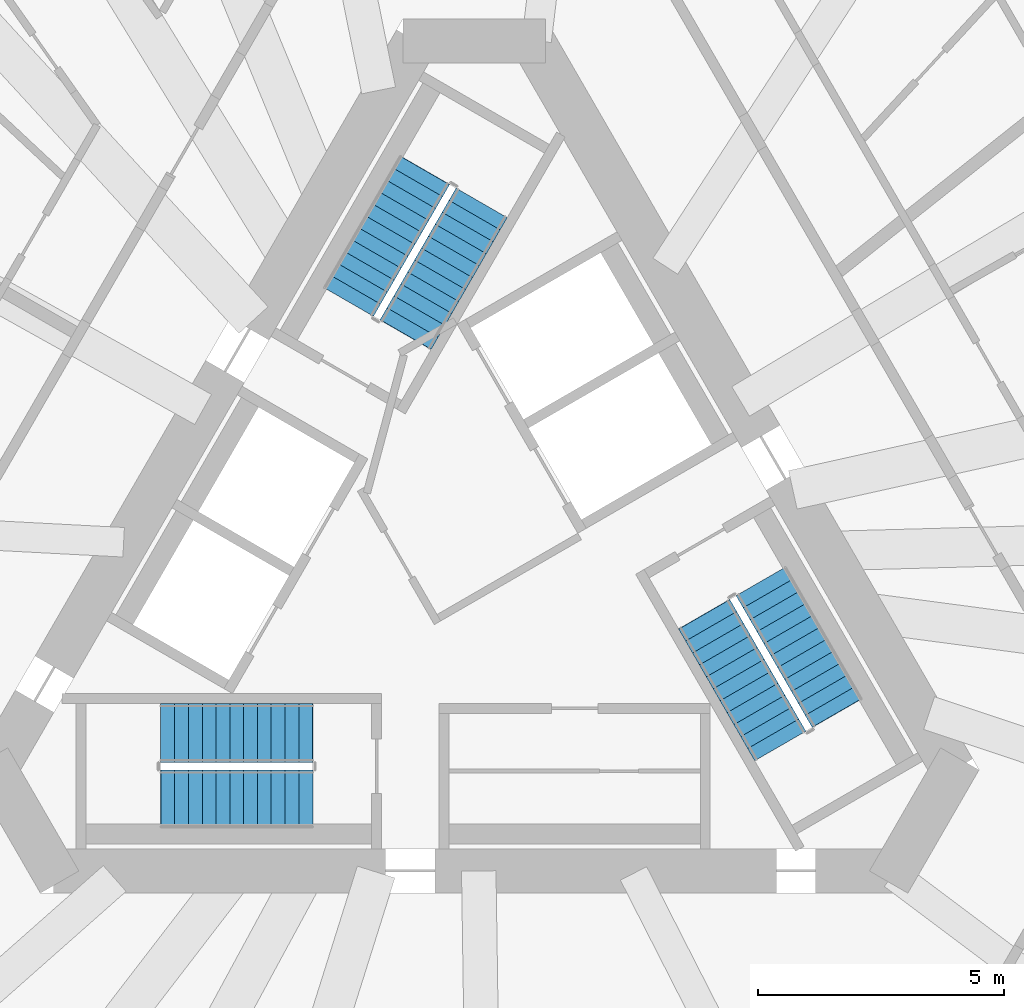
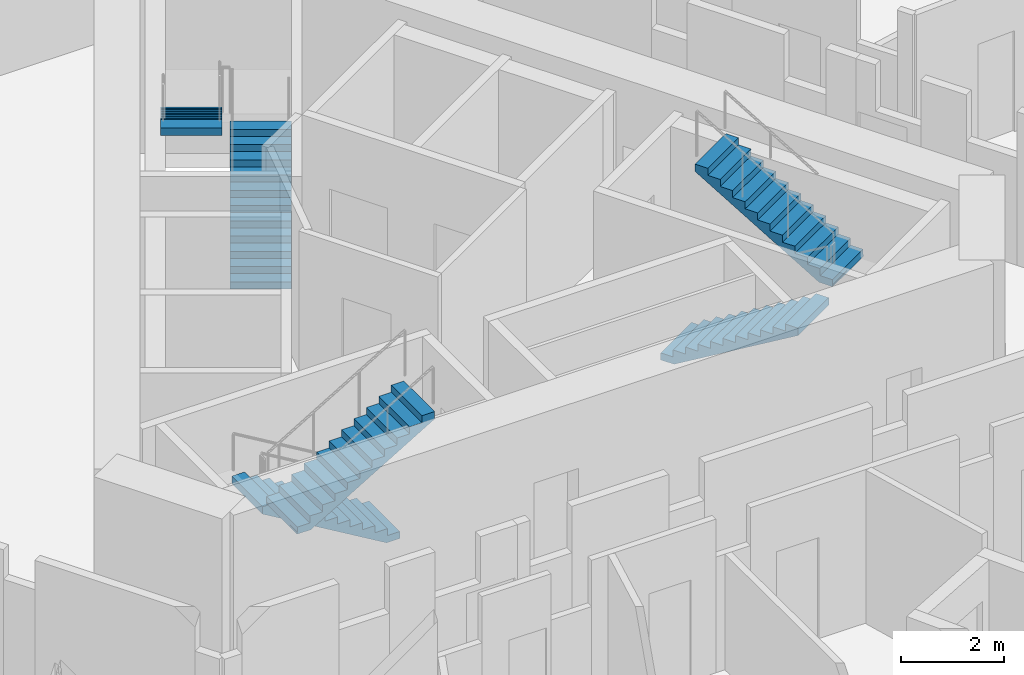
# One storey, part 9 of 13: 6 stair flights, 3 elements without a shape of their own.
"""IFC4 building model written with IfcOpenShell, lengths in metres."""

from ifc_helpers import new_model, si_unit, direction, frame, origin, place, context, subcontext, project, spatial, polyline, outline, extrude, material, layer, layer_set, type_object, element, aggregate, save


model = new_model("IFC4")

# Units and contexts
model_context = context("Model", 3, precision=1e-05, world=origin(), true_north=direction((0.0, 1.0)))
body_context = subcontext(model_context, "Body", "Model", "MODEL_VIEW")
ifc_project = project(units=[si_unit("LENGTHUNIT", "METRE"), si_unit("AREAUNIT", "SQUARE_METRE"), si_unit("VOLUMEUNIT", "CUBIC_METRE"), si_unit("PLANEANGLEUNIT", "RADIAN"), si_unit("MASSUNIT", "GRAM", prefix="KILO")], contexts=[model_context])

# Site, building, storey
site_placement = place(None, origin())
site = spatial("IfcSite", under=ifc_project, at=site_placement, CompositionType="ELEMENT")
building_placement = place(site_placement, origin())
building = spatial("IfcBuilding", under=site, at=building_placement, Name="Tramontana Tower", CompositionType="ELEMENT")
storey_placement = place(building_placement, frame((0.0, 0.0, 153.60009765625)))
storey = spatial("IfcBuildingStorey", under=building, at=storey_placement, Name="L35", CompositionType="ELEMENT", Elevation=153.60009765625)

# Stair, stair flights
ifc_material_1 = material(Name="Concrete 40 MPa", Category="concrete")
stair_type = type_object("IfcStairType", Name="EXIT STAIR 24 RISERS", PredefinedType="HALF_TURN_STAIR", material=ifc_material_1)
stair_1_placement = place(storey_placement, origin())
stair_1 = element("IfcStair", 1, at=stair_1_placement, inside=storey, type_object=stair_type, Name="L35 Exit stair ST1", PredefinedType="HALF_TURN_STAIR")
ifc_material_2 = material(Name="Concrete 40 MPa", Category="concrete")
ifc_layer = layer(ifc_material_2, 0.14990234375)
ifc_layer_set = layer_set([ifc_layer], Name="EXIT STAIR FLIGHT")
stair_flight_type = type_object("IfcStairFlightType", Name="EXIT STAIR FLIGHT", PredefinedType="STRAIGHT", material=ifc_layer_set)
stair_flight_1_placement = place(storey_placement, frame((-1.39111328125, 4.590576171875, 0.0), z_axis=(0.0, 0.0, 1.0), x_axis=(0.5, 0.866025403784, 0.0)))
stair_flight_1 = element("IfcStairFlight", 2, at=stair_flight_1_placement, type_object=stair_flight_type, Name="ST1 flight 1", NumberOfRisers=12, NumberOfTreads=11, PredefinedType="STRAIGHT", RiserHeight=0.166666667, TreadLength=0.28, context=body_context, shape_type="SweptSolid", body=[
    extrude(outline(polyline([(-0.006103515625, 0.0), (-0.006103515625, 0.0400390625), (0.0, 0.0400390625), (0.0, 0.166748046875), (0.280029296875, 0.166748046875), (0.280029296875, 0.333251953125), (0.56005859375, 0.333251953125), (0.56005859375, 0.5), (0.840087890625, 0.5), (0.840087890625, 0.666748046875), (1.1201171875, 0.666748046875), (1.1201171875, 0.833251953125), (1.39990234375, 0.833251953125), (1.39990234375, 1.0), (1.679931640625, 1.0), (1.679931640625, 1.166748046875), (1.9599609375, 1.166748046875), (1.9599609375, 1.333251953125), (2.239990234375, 1.333251953125), (2.239990234375, 1.5), (2.52001953125, 1.5), (2.52001953125, 1.666748046875), (2.800048828125, 1.666748046875), (2.800048828125, 1.833251953125), (3.080078125, 1.833251953125), (3.0859375, 1.833251953125), (3.0859375, 1.658935546875), (0.299072265625, 0.0), (-0.006103515625, 0.0)])), frame((0.0, 0.60009765625, 0.0), z_axis=(0.0, -1.0, 0.0), x_axis=(1.0, 0.0, 0.0)), (0.0, 0.0, 1.0), 1.199951171875),
])
stair_flight_2_placement = place(storey_placement, frame((-1.020263671875, 7.932861328125, 2.0), z_axis=(0.0, 0.0, 1.0), x_axis=(-0.5, -0.866025403784, 0.0)))
stair_flight_2 = element("IfcStairFlight", 3, at=stair_flight_2_placement, type_object=stair_flight_type, Name="ST1 flight 2", NumberOfRisers=12, NumberOfTreads=11, PredefinedType="STRAIGHT", RiserHeight=0.166666667, TreadLength=0.28, context=body_context, shape_type="SweptSolid", body=[
    extrude(outline(polyline([(-0.006103515625, 0.0), (-0.006103515625, 0.0400390625), (0.0, 0.0400390625), (0.0, 0.166748046875), (0.280029296875, 0.166748046875), (0.280029296875, 0.333251953125), (0.56005859375, 0.333251953125), (0.56005859375, 0.5), (0.840087890625, 0.5), (0.840087890625, 0.666748046875), (1.1201171875, 0.666748046875), (1.1201171875, 0.833251953125), (1.39990234375, 0.833251953125), (1.39990234375, 1.0), (1.679931640625, 1.0), (1.679931640625, 1.166748046875), (1.9599609375, 1.166748046875), (1.9599609375, 1.333251953125), (2.239990234375, 1.333251953125), (2.239990234375, 1.5), (2.52001953125, 1.5), (2.52001953125, 1.666748046875), (2.800048828125, 1.666748046875), (2.800048828125, 1.833251953125), (3.080078125, 1.833251953125), (3.0859375, 1.833251953125), (3.0859375, 1.658935546875), (0.299072265625, 0.0), (-0.006103515625, 0.0)])), frame((0.0, 0.60009765625, 0.0), z_axis=(0.0, -1.0, 0.0), x_axis=(1.0, 0.0, 0.0)), (0.0, 0.0, 1.0), 1.199951171875),
])
aggregate(stair_1, [stair_flight_1, stair_flight_2])

stair_2_placement = place(storey_placement, origin())
stair_2 = element("IfcStair", 4, at=stair_2_placement, inside=storey, type_object=stair_type, Name="L35 Exit stair ST2", PredefinedType="HALF_TURN_STAIR")
stair_flight_3_placement = place(storey_placement, frame((-3.280029296875, -3.5, 0.0), z_axis=(0.0, 0.0, 1.0), x_axis=(-1.0, 0.0, 0.0)))
stair_flight_3 = element("IfcStairFlight", 5, at=stair_flight_3_placement, type_object=stair_flight_type, Name="ST2 flight 1", NumberOfRisers=12, NumberOfTreads=11, PredefinedType="STRAIGHT", RiserHeight=0.166666667, TreadLength=0.28, context=body_context, shape_type="SweptSolid", body=[
    extrude(outline(polyline([(-0.006103515625, 0.0), (-0.006103515625, 0.0400390625), (0.0, 0.0400390625), (0.0, 0.166748046875), (0.280029296875, 0.166748046875), (0.280029296875, 0.333251953125), (0.56005859375, 0.333251953125), (0.56005859375, 0.5), (0.840087890625, 0.5), (0.840087890625, 0.666748046875), (1.1201171875, 0.666748046875), (1.1201171875, 0.833251953125), (1.39990234375, 0.833251953125), (1.39990234375, 1.0), (1.679931640625, 1.0), (1.679931640625, 1.166748046875), (1.9599609375, 1.166748046875), (1.9599609375, 1.333251953125), (2.239990234375, 1.333251953125), (2.239990234375, 1.5), (2.52001953125, 1.5), (2.52001953125, 1.666748046875), (2.800048828125, 1.666748046875), (2.800048828125, 1.833251953125), (3.080078125, 1.833251953125), (3.0859375, 1.833251953125), (3.0859375, 1.658935546875), (0.299072265625, 0.0), (-0.006103515625, 0.0)])), frame((0.0, 0.60009765625, 0.0), z_axis=(0.0, -1.0, 0.0), x_axis=(1.0, 0.0, 0.0)), (0.0, 0.0, 1.0), 1.199951171875),
])
stair_flight_4_placement = place(storey_placement, frame((-6.360107421875, -4.85009765625, 2.0), z_axis=(0.0, 0.0, 1.0), x_axis=(1.0, 0.0, 0.0)))
stair_flight_4 = element("IfcStairFlight", 6, at=stair_flight_4_placement, type_object=stair_flight_type, Name="ST2 flight 2", NumberOfRisers=12, NumberOfTreads=11, PredefinedType="STRAIGHT", RiserHeight=0.166666667, TreadLength=0.28, context=body_context, shape_type="SweptSolid", body=[
    extrude(outline(polyline([(-0.006103515625, 0.0), (-0.006103515625, 0.0400390625), (0.0, 0.0400390625), (0.0, 0.166748046875), (0.280029296875, 0.166748046875), (0.280029296875, 0.333251953125), (0.56005859375, 0.333251953125), (0.56005859375, 0.5), (0.840087890625, 0.5), (0.840087890625, 0.666748046875), (1.1201171875, 0.666748046875), (1.1201171875, 0.833251953125), (1.39990234375, 0.833251953125), (1.39990234375, 1.0), (1.679931640625, 1.0), (1.679931640625, 1.166748046875), (1.9599609375, 1.166748046875), (1.9599609375, 1.333251953125), (2.239990234375, 1.333251953125), (2.239990234375, 1.5), (2.52001953125, 1.5), (2.52001953125, 1.666748046875), (2.800048828125, 1.666748046875), (2.800048828125, 1.833251953125), (3.080078125, 1.833251953125), (3.0859375, 1.833251953125), (3.0859375, 1.658935546875), (0.299072265625, 0.0), (-0.006103515625, 0.0)])), frame((0.0, 0.60009765625, 0.0), z_axis=(0.0, -1.0, 0.0), x_axis=(1.0, 0.0, 0.0)), (0.0, 0.0, 1.0), 1.199951171875),
])
aggregate(stair_2, [stair_flight_3, stair_flight_4])

stair_3_placement = place(storey_placement, origin())
stair_3 = element("IfcStair", 7, at=stair_3_placement, inside=storey, type_object=stair_type, Name="L35 Exit stair ST3", PredefinedType="HALF_TURN_STAIR")
stair_flight_5_placement = place(storey_placement, frame((4.671142578125, -1.090576171875, 0.0), z_axis=(0.0, 0.0, 1.0), x_axis=(0.5, -0.866025403784, 0.0)))
stair_flight_5 = element("IfcStairFlight", 8, at=stair_flight_5_placement, type_object=stair_flight_type, Name="ST3 flight 1", NumberOfRisers=12, NumberOfTreads=11, PredefinedType="STRAIGHT", RiserHeight=0.166666667, TreadLength=0.28, context=body_context, shape_type="SweptSolid", body=[
    extrude(outline(polyline([(-0.006103515625, 0.0), (-0.006103515625, 0.0400390625), (0.0, 0.0400390625), (0.0, 0.166748046875), (0.280029296875, 0.166748046875), (0.280029296875, 0.333251953125), (0.56005859375, 0.333251953125), (0.56005859375, 0.5), (0.840087890625, 0.5), (0.840087890625, 0.666748046875), (1.1201171875, 0.666748046875), (1.1201171875, 0.833251953125), (1.39990234375, 0.833251953125), (1.39990234375, 1.0), (1.679931640625, 1.0), (1.679931640625, 1.166748046875), (1.9599609375, 1.166748046875), (1.9599609375, 1.333251953125), (2.239990234375, 1.333251953125), (2.239990234375, 1.5), (2.52001953125, 1.5), (2.52001953125, 1.666748046875), (2.800048828125, 1.666748046875), (2.800048828125, 1.833251953125), (3.080078125, 1.833251953125), (3.0859375, 1.833251953125), (3.0859375, 1.658935546875), (0.299072265625, 0.0), (-0.006103515625, 0.0)])), frame((0.0, 0.60009765625, 0.0), z_axis=(0.0, -1.0, 0.0), x_axis=(1.0, 0.0, 0.0)), (0.0, 0.0, 1.0), 1.199951171875),
])
stair_flight_6_placement = place(storey_placement, frame((7.380126953125, -3.0830078125, 2.0), z_axis=(0.0, 0.0, 1.0), x_axis=(-0.5, 0.866025403784, 0.0)))
stair_flight_6 = element("IfcStairFlight", 9, at=stair_flight_6_placement, type_object=stair_flight_type, Name="ST3 flight 2", NumberOfRisers=12, NumberOfTreads=11, PredefinedType="STRAIGHT", RiserHeight=0.166666667, TreadLength=0.28, context=body_context, shape_type="SweptSolid", body=[
    extrude(outline(polyline([(-0.006103515625, 0.0), (-0.006103515625, 0.0400390625), (0.0, 0.0400390625), (0.0, 0.166748046875), (0.280029296875, 0.166748046875), (0.280029296875, 0.333251953125), (0.56005859375, 0.333251953125), (0.56005859375, 0.5), (0.840087890625, 0.5), (0.840087890625, 0.666748046875), (1.1201171875, 0.666748046875), (1.1201171875, 0.833251953125), (1.39990234375, 0.833251953125), (1.39990234375, 1.0), (1.679931640625, 1.0), (1.679931640625, 1.166748046875), (1.9599609375, 1.166748046875), (1.9599609375, 1.333251953125), (2.239990234375, 1.333251953125), (2.239990234375, 1.5), (2.52001953125, 1.5), (2.52001953125, 1.666748046875), (2.800048828125, 1.666748046875), (2.800048828125, 1.833251953125), (3.080078125, 1.833251953125), (3.0859375, 1.833251953125), (3.0859375, 1.658935546875), (0.299072265625, 0.0), (-0.006103515625, 0.0)])), frame((0.0, 0.60009765625, 0.0), z_axis=(0.0, -1.0, 0.0), x_axis=(1.0, 0.0, 0.0)), (0.0, 0.0, 1.0), 1.199951171875),
])
aggregate(stair_3, [stair_flight_5, stair_flight_6])

save(model, "model.ifc")
